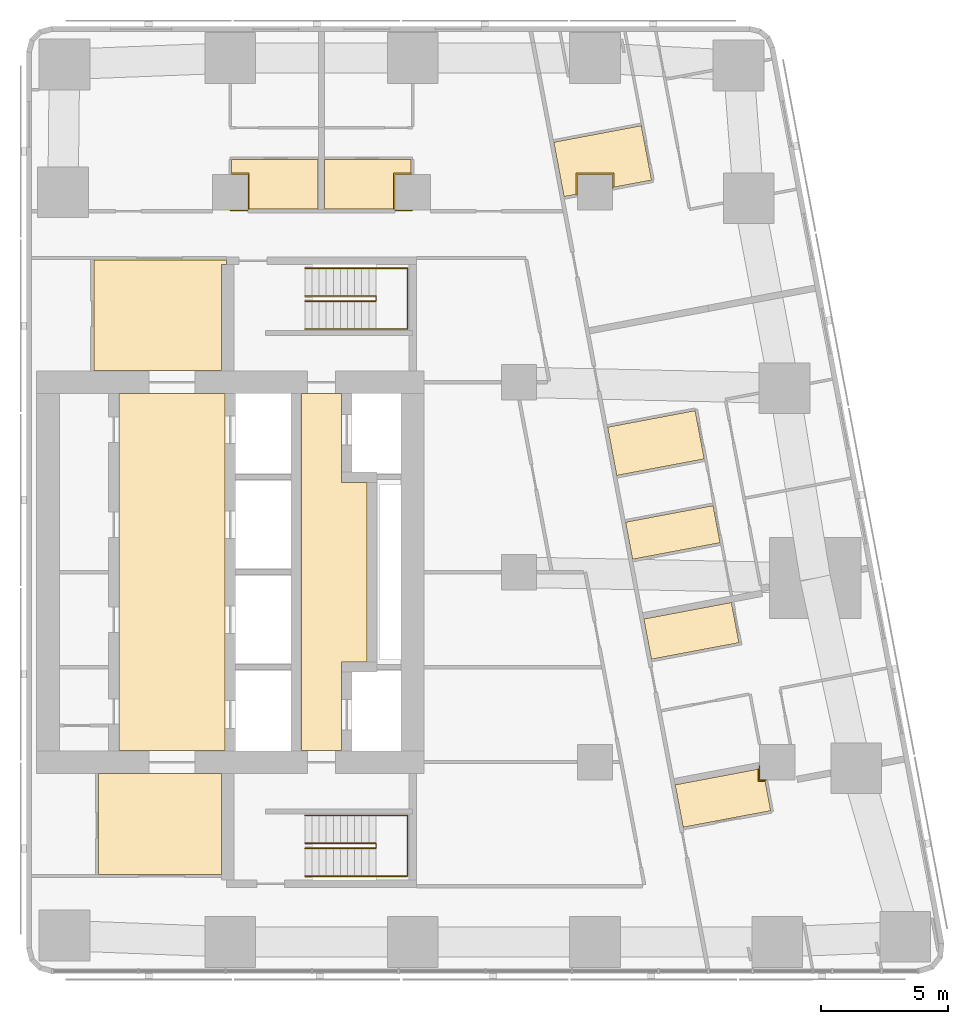
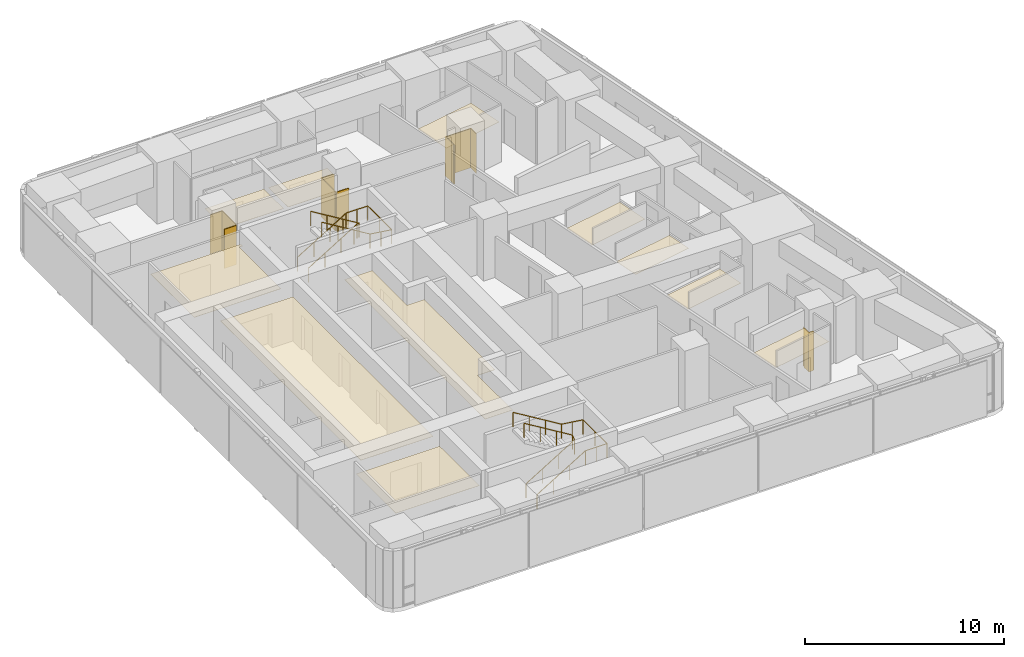
# One storey, part 11 of 11: 15 coverings, 4 railings.
"""IFC4 building model written with IfcOpenShell, lengths in metres."""

from ifc_helpers import new_model, si_unit, direction, frame, origin, origin_2d, place, context, subcontext, project, spatial, polyline, circle, outline, extrude, material, layer, layer_set, type_object, element, save


model = new_model("IFC4")

# Units and contexts
model_context = context("Model", 3, precision=1e-05, world=origin(), true_north=direction((0.0, 1.0)))
body_context = subcontext(model_context, "Body", "Model", "MODEL_VIEW")
ifc_project = project(units=[si_unit("LENGTHUNIT", "METRE"), si_unit("AREAUNIT", "SQUARE_METRE"), si_unit("VOLUMEUNIT", "CUBIC_METRE"), si_unit("PLANEANGLEUNIT", "RADIAN"), si_unit("MASSUNIT", "GRAM", prefix="KILO")], contexts=[model_context])

# Site, building, storey
site_placement = place(None, origin())
site = spatial("IfcSite", under=ifc_project, at=site_placement, CompositionType="ELEMENT")
building_placement = place(site_placement, origin())
building = spatial("IfcBuilding", under=site, at=building_placement, Name="Sheger Commons Tower", CompositionType="ELEMENT")
storey_placement = place(building_placement, frame((0.0, 0.0, 255.35009765625)))
storey = spatial("IfcBuildingStorey", under=building, at=storey_placement, Name="L65", CompositionType="ELEMENT", Elevation=255.35009765625)

# Railings
ifc_material_1 = material(Name="Steel handrail, black powder-coated", Category="steel")
railing_type = type_object("IfcRailingType", Name="HANDRAIL 900", PredefinedType="HANDRAIL", material=ifc_material_1)
railing_1_placement = place(storey_placement, frame((24.550048828125, 11.60009765625, 0.17041015625)))
element("IfcRailing", 1, at=railing_1_placement, inside=storey, type_object=railing_type, Name="Stair S1 handrail L65", PredefinedType="HANDRAIL", context=body_context, shape_type="SweptSolid", body=[
    extrude(circle(Radius=0.02392578125, at=origin_2d()), frame((0.0, 0.0, 0.8759765625), z_axis=(0.854169791009, 0.0, 0.51999420009), x_axis=(0.0, 1.0, 0.0)), (0.0, 0.0, 1.0), 3.278076171875),
    extrude(circle(Radius=0.02392578125, at=origin_2d()), frame((2.800048828125, 0.0, 2.58056640625), z_axis=(0.0, 0.761090297175, 0.648645943136), x_axis=(-1.0, 0.0, 0.0)), (0.0, 0.0, 1.0), 0.2626953125),
    extrude(circle(Radius=0.02392578125, at=origin_2d()), frame((2.800048828125, 0.199951171875, 2.7509765625), z_axis=(-0.854169791009, 0.0, 0.51999420009), x_axis=(0.0, -1.0, 0.0)), (0.0, 0.0, 1.0), 3.278076171875),
    extrude(circle(Radius=0.02099609375, at=origin_2d()), origin(), (0.0, 0.0, 1.0), 0.851806640625),
    extrude(circle(Radius=0.02099609375, at=origin_2d()), frame((0.933349609375, 0.0, 0.568115234375)), (0.0, 0.0, 1.0), 0.851806640625),
    extrude(circle(Radius=0.02099609375, at=origin_2d()), frame((1.86669921875, 0.0, 1.136474609375)), (0.0, 0.0, 1.0), 0.851806640625),
    extrude(circle(Radius=0.02099609375, at=origin_2d()), frame((2.800048828125, 0.0, 1.70458984375)), (0.0, 0.0, 1.0), 0.851806640625),
    extrude(circle(Radius=0.02099609375, at=origin_2d()), frame((2.800048828125, 0.199951171875, 1.875)), (0.0, 0.0, 1.0), 0.851806640625),
    extrude(circle(Radius=0.02099609375, at=origin_2d()), frame((1.86669921875, 0.199951171875, 2.443115234375)), (0.0, 0.0, 1.0), 0.851806640625),
    extrude(circle(Radius=0.02099609375, at=origin_2d()), frame((0.933349609375, 0.199951171875, 3.011474609375)), (0.0, 0.0, 1.0), 0.851806640625),
    extrude(circle(Radius=0.02099609375, at=origin_2d()), frame((0.0, 0.199951171875, 3.57958984375)), (0.0, 0.0, 1.0), 0.851806640625),
])
railing_2_placement = place(storey_placement, frame((24.550048828125, 10.5, 0.17041015625)))
element("IfcRailing", 2, at=railing_2_placement, inside=storey, type_object=railing_type, Name="Stair S1 handrail L65", PredefinedType="HANDRAIL", context=body_context, shape_type="SweptSolid", body=[
    extrude(circle(Radius=0.02392578125, at=origin_2d()), frame((0.0, 0.0, 0.8759765625), z_axis=(0.854169791009, 0.0, 0.51999420009), x_axis=(0.0, 1.0, 0.0)), (0.0, 0.0, 1.0), 3.278076171875),
    extrude(circle(Radius=0.02392578125, at=origin_2d()), frame((2.800048828125, 0.0, 2.58056640625), z_axis=(1.0, 0.0, 0.0), x_axis=(0.0, 1.0, 0.0)), (0.0, 0.0, 1.0), 1.25),
    extrude(circle(Radius=0.02392578125, at=origin_2d()), frame((4.050048828125, 0.0, 2.58056640625), z_axis=(0.0, 1.0, 0.0), x_axis=(-1.0, 0.0, 0.0)), (0.0, 0.0, 1.0), 2.39990234375),
    extrude(circle(Radius=0.02392578125, at=origin_2d()), frame((4.050048828125, 2.39990234375, 2.58056640625), z_axis=(-0.990834877927, 0.0, 0.135078661092), x_axis=(0.0, -1.0, 0.0)), (0.0, 0.0, 1.0), 1.261474609375),
    extrude(circle(Radius=0.02392578125, at=origin_2d()), frame((2.800048828125, 2.39990234375, 2.7509765625), z_axis=(-0.854169791009, 0.0, 0.51999420009), x_axis=(0.0, -1.0, 0.0)), (0.0, 0.0, 1.0), 3.278076171875),
    extrude(circle(Radius=0.02099609375, at=origin_2d()), origin(), (0.0, 0.0, 1.0), 0.851806640625),
    extrude(circle(Radius=0.02099609375, at=origin_2d()), frame((0.933349609375, 0.0, 0.568115234375)), (0.0, 0.0, 1.0), 0.851806640625),
    extrude(circle(Radius=0.02099609375, at=origin_2d()), frame((1.86669921875, 0.0, 1.136474609375)), (0.0, 0.0, 1.0), 0.851806640625),
    extrude(circle(Radius=0.02099609375, at=origin_2d()), frame((2.800048828125, 0.0, 1.70458984375)), (0.0, 0.0, 1.0), 0.851806640625),
    extrude(circle(Radius=0.02099609375, at=origin_2d()), frame((3.425048828125, 0.0, 1.70458984375)), (0.0, 0.0, 1.0), 0.851806640625),
    extrude(circle(Radius=0.02099609375, at=origin_2d()), frame((4.050048828125, 0.0, 1.70458984375)), (0.0, 0.0, 1.0), 0.851806640625),
    extrude(circle(Radius=0.02099609375, at=origin_2d()), frame((4.050048828125, 1.199951171875, 1.70458984375)), (0.0, 0.0, 1.0), 0.851806640625),
    extrude(circle(Radius=0.02099609375, at=origin_2d()), frame((4.050048828125, 2.39990234375, 1.70458984375)), (0.0, 0.0, 1.0), 0.851806640625),
    extrude(circle(Radius=0.02099609375, at=origin_2d()), frame((3.425048828125, 2.39990234375, 1.789794921875)), (0.0, 0.0, 1.0), 0.851806640625),
    extrude(circle(Radius=0.02099609375, at=origin_2d()), frame((2.800048828125, 2.39990234375, 1.875)), (0.0, 0.0, 1.0), 0.851806640625),
    extrude(circle(Radius=0.02099609375, at=origin_2d()), frame((1.86669921875, 2.39990234375, 2.443115234375)), (0.0, 0.0, 1.0), 0.851806640625),
    extrude(circle(Radius=0.02099609375, at=origin_2d()), frame((0.933349609375, 2.39990234375, 3.011474609375)), (0.0, 0.0, 1.0), 0.851806640625),
    extrude(circle(Radius=0.02099609375, at=origin_2d()), frame((0.0, 2.39990234375, 3.57958984375)), (0.0, 0.0, 1.0), 0.851806640625),
])
railing_3_placement = place(storey_placement, frame((24.550048828125, 33.39990234375, 0.17041015625)))
element("IfcRailing", 3, at=railing_3_placement, inside=storey, type_object=railing_type, Name="Stair S2 handrail L65", PredefinedType="HANDRAIL", context=body_context, shape_type="SweptSolid", body=[
    extrude(circle(Radius=0.02392578125, at=origin_2d()), frame((0.0, 0.0, 0.8759765625), z_axis=(0.854169791009, 0.0, 0.51999420009), x_axis=(0.0, 1.0, 0.0)), (0.0, 0.0, 1.0), 3.278076171875),
    extrude(circle(Radius=0.02392578125, at=origin_2d()), frame((2.800048828125, 0.0, 2.58056640625), z_axis=(0.0, -0.761090297175, 0.648645943136), x_axis=(1.0, 0.0, 0.0)), (0.0, 0.0, 1.0), 0.2626953125),
    extrude(circle(Radius=0.02392578125, at=origin_2d()), frame((2.800048828125, -0.199951171875, 2.7509765625), z_axis=(-0.854169791009, 0.0, 0.51999420009), x_axis=(0.0, -1.0, 0.0)), (0.0, 0.0, 1.0), 3.278076171875),
    extrude(circle(Radius=0.02099609375, at=origin_2d()), origin(), (0.0, 0.0, 1.0), 0.851806640625),
    extrude(circle(Radius=0.02099609375, at=origin_2d()), frame((0.933349609375, 0.0, 0.568115234375)), (0.0, 0.0, 1.0), 0.851806640625),
    extrude(circle(Radius=0.02099609375, at=origin_2d()), frame((1.86669921875, 0.0, 1.136474609375)), (0.0, 0.0, 1.0), 0.851806640625),
    extrude(circle(Radius=0.02099609375, at=origin_2d()), frame((2.800048828125, 0.0, 1.70458984375)), (0.0, 0.0, 1.0), 0.851806640625),
    extrude(circle(Radius=0.02099609375, at=origin_2d()), frame((2.800048828125, -0.199951171875, 1.875)), (0.0, 0.0, 1.0), 0.851806640625),
    extrude(circle(Radius=0.02099609375, at=origin_2d()), frame((1.86669921875, -0.199951171875, 2.443115234375)), (0.0, 0.0, 1.0), 0.851806640625),
    extrude(circle(Radius=0.02099609375, at=origin_2d()), frame((0.933349609375, -0.199951171875, 3.011474609375)), (0.0, 0.0, 1.0), 0.851806640625),
    extrude(circle(Radius=0.02099609375, at=origin_2d()), frame((0.0, -0.199951171875, 3.57958984375)), (0.0, 0.0, 1.0), 0.851806640625),
])
railing_4_placement = place(storey_placement, frame((24.550048828125, 34.5, 0.17041015625)))
element("IfcRailing", 4, at=railing_4_placement, inside=storey, type_object=railing_type, Name="Stair S2 handrail L65", PredefinedType="HANDRAIL", context=body_context, shape_type="SweptSolid", body=[
    extrude(circle(Radius=0.02392578125, at=origin_2d()), frame((0.0, 0.0, 0.8759765625), z_axis=(0.854169791009, 0.0, 0.51999420009), x_axis=(0.0, 1.0, 0.0)), (0.0, 0.0, 1.0), 3.278076171875),
    extrude(circle(Radius=0.02392578125, at=origin_2d()), frame((2.800048828125, 0.0, 2.58056640625), z_axis=(1.0, 0.0, 0.0), x_axis=(0.0, 1.0, 0.0)), (0.0, 0.0, 1.0), 1.25),
    extrude(circle(Radius=0.02392578125, at=origin_2d()), frame((4.050048828125, 0.0, 2.58056640625), z_axis=(0.0, -1.0, 0.0), x_axis=(1.0, 0.0, 0.0)), (0.0, 0.0, 1.0), 2.39990234375),
    extrude(circle(Radius=0.02392578125, at=origin_2d()), frame((4.050048828125, -2.39990234375, 2.58056640625), z_axis=(-0.990834877927, 0.0, 0.135078661092), x_axis=(0.0, -1.0, 0.0)), (0.0, 0.0, 1.0), 1.261474609375),
    extrude(circle(Radius=0.02392578125, at=origin_2d()), frame((2.800048828125, -2.39990234375, 2.7509765625), z_axis=(-0.854169791009, 0.0, 0.51999420009), x_axis=(0.0, -1.0, 0.0)), (0.0, 0.0, 1.0), 3.278076171875),
    extrude(circle(Radius=0.02099609375, at=origin_2d()), origin(), (0.0, 0.0, 1.0), 0.851806640625),
    extrude(circle(Radius=0.02099609375, at=origin_2d()), frame((0.933349609375, 0.0, 0.568115234375)), (0.0, 0.0, 1.0), 0.851806640625),
    extrude(circle(Radius=0.02099609375, at=origin_2d()), frame((1.86669921875, 0.0, 1.136474609375)), (0.0, 0.0, 1.0), 0.851806640625),
    extrude(circle(Radius=0.02099609375, at=origin_2d()), frame((2.800048828125, 0.0, 1.70458984375)), (0.0, 0.0, 1.0), 0.851806640625),
    extrude(circle(Radius=0.02099609375, at=origin_2d()), frame((3.425048828125, 0.0, 1.70458984375)), (0.0, 0.0, 1.0), 0.851806640625),
    extrude(circle(Radius=0.02099609375, at=origin_2d()), frame((4.050048828125, 0.0, 1.70458984375)), (0.0, 0.0, 1.0), 0.851806640625),
    extrude(circle(Radius=0.02099609375, at=origin_2d()), frame((4.050048828125, -1.199951171875, 1.70458984375)), (0.0, 0.0, 1.0), 0.851806640625),
    extrude(circle(Radius=0.02099609375, at=origin_2d()), frame((4.050048828125, -2.39990234375, 1.70458984375)), (0.0, 0.0, 1.0), 0.851806640625),
    extrude(circle(Radius=0.02099609375, at=origin_2d()), frame((3.425048828125, -2.39990234375, 1.789794921875)), (0.0, 0.0, 1.0), 0.851806640625),
    extrude(circle(Radius=0.02099609375, at=origin_2d()), frame((2.800048828125, -2.39990234375, 1.875)), (0.0, 0.0, 1.0), 0.851806640625),
    extrude(circle(Radius=0.02099609375, at=origin_2d()), frame((1.86669921875, -2.39990234375, 2.443115234375)), (0.0, 0.0, 1.0), 0.851806640625),
    extrude(circle(Radius=0.02099609375, at=origin_2d()), frame((0.933349609375, -2.39990234375, 3.011474609375)), (0.0, 0.0, 1.0), 0.851806640625),
    extrude(circle(Radius=0.02099609375, at=origin_2d()), frame((0.0, -2.39990234375, 3.57958984375)), (0.0, 0.0, 1.0), 0.851806640625),
])

# Coverings
ifc_material_2 = material(Name="Moisture-resistant gypsum plasterboard 15 mm on a suspended galvanised steel grid", Category="steel")
ifc_layer_1 = layer(ifc_material_2, 0.014892578125)
ifc_layer_set_1 = layer_set([ifc_layer_1], Name="MOISTURE-RESISTANT CEILING 15")
covering_type_1 = type_object("IfcCoveringType", Name="MOISTURE-RESISTANT CEILING 15", PredefinedType="CEILING", material=ifc_layer_set_1)
covering_1_placement = place(storey_placement, frame((0.0, 0.0, 2.39990234375)))
element("IfcCovering", 5, at=covering_1_placement, inside=storey, type_object=covering_type_1, Name="L65-01.B1 ceiling", PredefinedType="CEILING", context=body_context, shape_type="SweptSolid", body=[
    extrude(outline(polyline([(34.780029296875, 37.325927734375), (35.284912109375, 37.4208984375), (35.29296875, 37.3779296875), (35.294921875, 37.3779296875), (35.294921875, 38.205078125), (36.705078125, 38.205078125), (36.705078125, 37.68994140625), (38.23388671875, 37.97900390625), (37.827880859375, 40.126953125), (34.3740234375, 39.47509765625), (34.780029296875, 37.325927734375)])), origin(), (0.0, 0.0, 1.0), 0.014892578125),
])
covering_2_placement = place(storey_placement, frame((0.0, 0.0, 2.39990234375)))
element("IfcCovering", 6, at=covering_2_placement, inside=storey, type_object=covering_type_1, Name="L65-02.B1 ceiling", PredefinedType="CEILING", context=body_context, shape_type="SweptSolid", body=[
    extrude(outline(polyline([(36.85888671875, 26.319091796875), (40.31298828125, 26.970947265625), (39.952880859375, 28.8779296875), (36.4990234375, 28.22509765625), (36.85888671875, 26.319091796875)])), origin(), (0.0, 0.0, 1.0), 0.014892578125),
])
covering_3_placement = place(storey_placement, frame((0.0, 0.0, 2.39990234375)))
element("IfcCovering", 7, at=covering_3_placement, inside=storey, type_object=covering_type_1, Name="L65-02.B2 ceiling", PredefinedType="CEILING", context=body_context, shape_type="SweptSolid", body=[
    extrude(outline(polyline([(37.48388671875, 23.010986328125), (40.93896484375, 23.6630859375), (40.662109375, 25.1279296875), (37.2080078125, 24.47509765625), (37.48388671875, 23.010986328125)])), origin(), (0.0, 0.0, 1.0), 0.014892578125),
])
covering_4_placement = place(storey_placement, frame((0.0, 0.0, 2.39990234375)))
element("IfcCovering", 8, at=covering_4_placement, inside=storey, type_object=covering_type_1, Name="L65-03.B1 ceiling", PredefinedType="CEILING", context=body_context, shape_type="SweptSolid", body=[
    extrude(outline(polyline([(38.22900390625, 19.06494140625), (41.68408203125, 19.716064453125), (41.384033203125, 21.303955078125), (37.929931640625, 20.652099609375), (38.22900390625, 19.06494140625)])), origin(), (0.0, 0.0, 1.0), 0.014892578125),
])
covering_5_placement = place(storey_placement, frame((0.0, 0.0, 2.39990234375)))
element("IfcCovering", 9, at=covering_5_placement, inside=storey, type_object=covering_type_1, Name="L65-04.B1 ceiling", PredefinedType="CEILING", context=body_context, shape_type="SweptSolid", body=[
    extrude(outline(polyline([(39.48291015625, 12.429931640625), (42.93701171875, 13.0830078125), (42.7099609375, 14.284912109375), (42.7529296875, 14.29296875), (42.7529296875, 14.294921875), (42.4951171875, 14.294921875), (42.4951171875, 14.73388671875), (39.166015625, 14.10498046875), (39.48291015625, 12.429931640625)])), origin(), (0.0, 0.0, 1.0), 0.014892578125),
])
covering_6_placement = place(storey_placement, frame((0.0, 0.0, 2.39990234375)))
element("IfcCovering", 10, at=covering_6_placement, inside=storey, type_object=covering_type_1, Name="L65-05.B1 ceiling", PredefinedType="CEILING", context=body_context, shape_type="SweptSolid", body=[
    extrude(outline(polyline([(22.304931640625, 36.830078125), (25.070068359375, 36.830078125), (25.070068359375, 38.794921875), (21.655029296875, 38.794921875), (21.655029296875, 38.205078125), (22.304931640625, 38.205078125), (22.304931640625, 36.830078125)])), origin(), (0.0, 0.0, 1.0), 0.014892578125),
])
covering_7_placement = place(storey_placement, frame((0.0, 0.0, 2.39990234375)))
element("IfcCovering", 11, at=covering_7_placement, inside=storey, type_object=covering_type_1, Name="L65-06.B1 ceiling", PredefinedType="CEILING", context=body_context, shape_type="SweptSolid", body=[
    extrude(outline(polyline([(25.330078125, 36.830078125), (28.094970703125, 36.830078125), (28.094970703125, 38.205078125), (28.7451171875, 38.205078125), (28.7451171875, 38.794921875), (25.330078125, 38.794921875), (25.330078125, 36.830078125)])), origin(), (0.0, 0.0, 1.0), 0.014892578125),
])
ifc_material_3 = material(Name="Gypsum plasterboard 15 mm on a suspended steel grid", Category="steel")
ifc_layer_2 = layer(ifc_material_3, 0.014892578125)
ifc_layer_set_2 = layer_set([ifc_layer_2], Name="SUSPENDED CEILING 15")
covering_type_2 = type_object("IfcCoveringType", Name="SUSPENDED CEILING 15", PredefinedType="CEILING", material=ifc_layer_set_2)
covering_8_placement = place(storey_placement, frame((0.0, 0.0, 2.699951171875)))
element("IfcCovering", 12, at=covering_8_placement, inside=storey, type_object=covering_type_2, Name="L65-SVS1 ceiling", PredefinedType="CEILING", context=body_context, shape_type="SweptSolid", body=[
    extrude(outline(polyline([(16.406982421875, 10.568115234375), (21.2451171875, 10.568115234375), (21.2451171875, 14.544921875), (16.406982421875, 14.544921875), (16.406982421875, 10.568115234375)])), origin(), (0.0, 0.0, 1.0), 0.014892578125),
])
covering_9_placement = place(storey_placement, frame((0.0, 0.0, 2.699951171875)))
element("IfcCovering", 13, at=covering_9_placement, inside=storey, type_object=covering_type_2, Name="L65-SVN1 ceiling", PredefinedType="CEILING", context=body_context, shape_type="SweptSolid", body=[
    extrude(outline(polyline([(16.217041015625, 30.455078125), (21.2451171875, 30.455078125), (21.2451171875, 34.655029296875), (21.445068359375, 34.655029296875), (21.445068359375, 34.83203125), (16.217041015625, 34.83203125), (16.217041015625, 30.455078125)])), origin(), (0.0, 0.0, 1.0), 0.014892578125),
])
covering_10_placement = place(storey_placement, frame((0.0, 0.0, 2.699951171875)))
element("IfcCovering", 14, at=covering_10_placement, inside=storey, type_object=covering_type_2, Name="L65-LL ceiling", PredefinedType="CEILING", context=body_context, shape_type="SweptSolid", body=[
    extrude(outline(polyline([(17.205078125, 15.455078125), (21.39990234375, 15.455078125), (21.39990234375, 29.544921875), (17.205078125, 29.544921875), (17.205078125, 15.455078125)])), origin(), (0.0, 0.0, 1.0), 0.014892578125),
])
covering_11_placement = place(storey_placement, frame((0.0, 0.0, 2.699951171875)))
element("IfcCovering", 15, at=covering_11_placement, inside=storey, type_object=covering_type_2, Name="L65-FL ceiling", PredefinedType="CEILING", context=body_context, shape_type="SweptSolid", body=[
    extrude(outline(polyline([(24.405029296875, 15.455078125), (25.9951171875, 15.455078125), (25.9951171875, 18.955078125), (26.9951171875, 18.955078125), (26.9951171875, 26.044921875), (25.9951171875, 26.044921875), (25.9951171875, 29.544921875), (24.405029296875, 29.544921875), (24.405029296875, 15.455078125)])), origin(), (0.0, 0.0, 1.0), 0.014892578125),
])
ifc_material_4 = material(Name="Moisture-resistant gypsum board 12.5 mm on 25 mm treated timber battens, tanked and tiled", Category="wood")
ifc_layer_3 = layer(ifc_material_4, 0.050048828125)
ifc_layer_set_3 = layer_set([ifc_layer_3], Name="WET-ROOM COLUMN LINING")
covering_type_3 = type_object("IfcCoveringType", Name="WET-ROOM COLUMN LINING", PredefinedType="CLADDING", material=ifc_layer_set_3)
covering_12_placement = place(storey_placement, origin())
element("IfcCovering", 16, at=covering_12_placement, inside=storey, type_object=covering_type_3, Name="Shower room column lining C11 L65", PredefinedType="CLADDING", context=body_context, shape_type="SweptSolid", body=[
    extrude(outline(polyline([(42.5, 14.866943359375), (42.5, 14.300048828125), (42.762939453125, 14.300048828125), (42.764892578125, 14.2900390625), (42.716064453125, 14.281005859375), (42.721923828125, 14.25), (42.449951171875, 14.25), (42.449951171875, 14.73095703125), (42.4990234375, 14.739990234375), (42.47607421875, 14.862060546875), (42.5, 14.866943359375)])), origin(), (0.0, 0.0, 1.0), 2.39990234375),
])
covering_13_placement = place(storey_placement, origin())
element("IfcCovering", 17, at=covering_13_placement, inside=storey, type_object=covering_type_3, Name="Bathroom column lining C11 L65", PredefinedType="CLADDING", context=body_context, shape_type="SweptSolid", body=[
    extrude(outline(polyline([(22.35009765625, 36.824951171875), (22.301025390625, 36.824951171875), (22.301025390625, 36.75), (21.60009765625, 36.75), (21.60009765625, 36.800048828125), (22.300048828125, 36.800048828125), (22.300048828125, 38.199951171875), (21.60009765625, 38.199951171875), (21.60009765625, 38.200927734375), (21.64990234375, 38.200927734375), (21.64990234375, 38.25), (22.35009765625, 38.25), (22.35009765625, 36.824951171875)])), origin(), (0.0, 0.0, 1.0), 2.39990234375),
])
covering_14_placement = place(storey_placement, origin())
element("IfcCovering", 18, at=covering_14_placement, inside=storey, type_object=covering_type_3, Name="Bathroom column lining C11 L65", PredefinedType="CLADDING", context=body_context, shape_type="SweptSolid", body=[
    extrude(outline(polyline([(28.75, 38.25), (28.75, 38.200927734375), (28.800048828125, 38.200927734375), (28.800048828125, 38.199951171875), (28.10009765625, 38.199951171875), (28.10009765625, 36.800048828125), (28.800048828125, 36.800048828125), (28.800048828125, 36.75), (28.09912109375, 36.75), (28.09912109375, 36.824951171875), (28.050048828125, 36.824951171875), (28.050048828125, 38.25), (28.75, 38.25)])), origin(), (0.0, 0.0, 1.0), 2.39990234375),
])
covering_15_placement = place(storey_placement, origin())
element("IfcCovering", 19, at=covering_15_placement, inside=storey, type_object=covering_type_3, Name="Bathroom column lining C11 L65", PredefinedType="CLADDING", context=body_context, shape_type="SweptSolid", body=[
    extrude(outline(polyline([(36.75, 38.25), (36.75, 37.693115234375), (36.700927734375, 37.68408203125), (36.7099609375, 37.635009765625), (36.699951171875, 37.633056640625), (36.699951171875, 38.199951171875), (35.300048828125, 38.199951171875), (35.300048828125, 37.367919921875), (35.2900390625, 37.365966796875), (35.281005859375, 37.4150390625), (35.25, 37.408935546875), (35.25, 38.25), (36.75, 38.25)])), origin(), (0.0, 0.0, 1.0), 2.39990234375),
])

save(model, "model.ifc")
